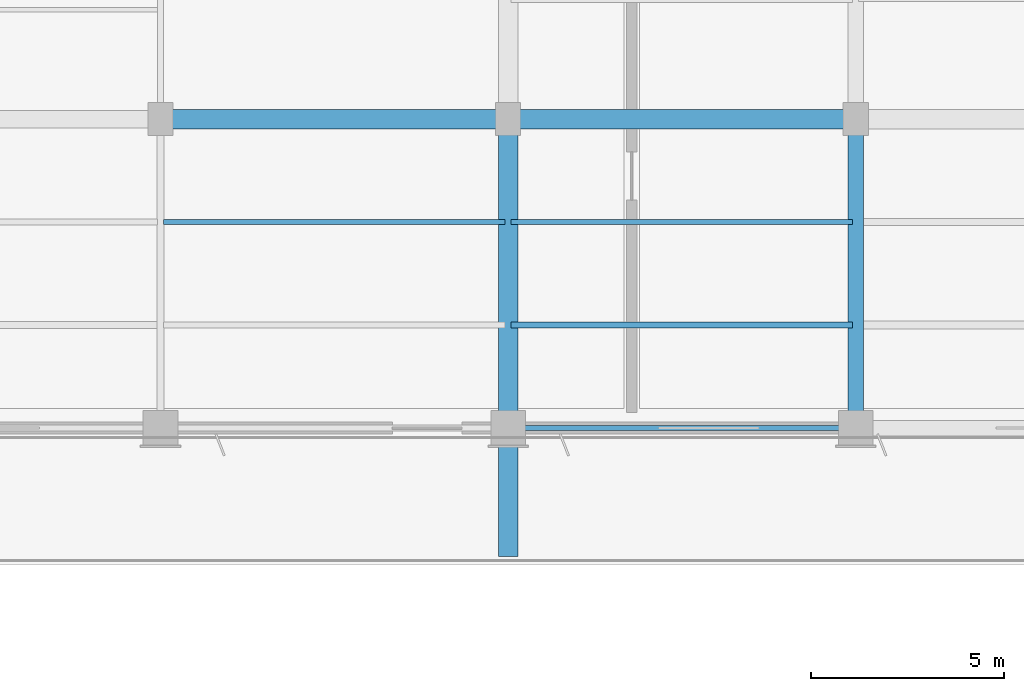
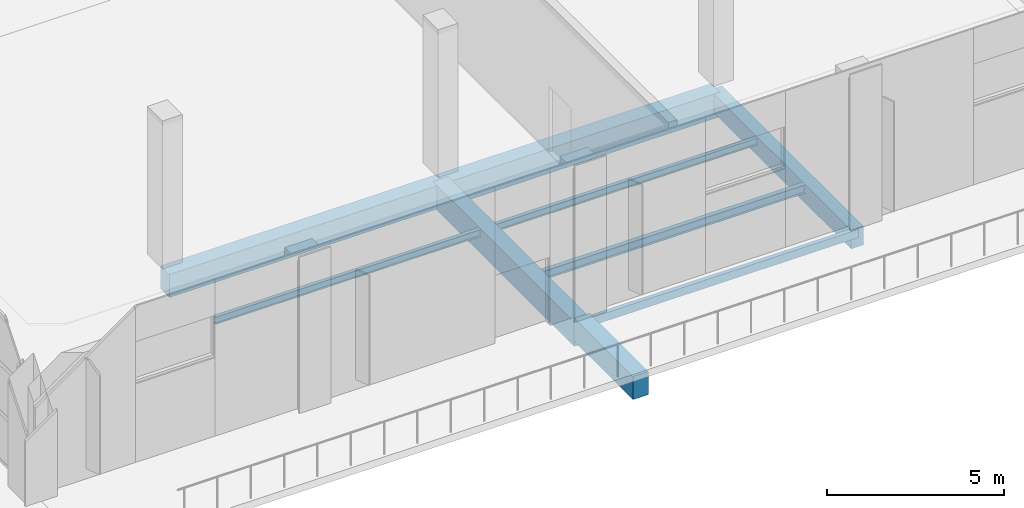
# One storey, part 36 of 90: 9 beams.
"""IFC4 building model written with IfcOpenShell, lengths in metres."""

from ifc_helpers import new_model, si_unit, direction, frame, origin, origin_2d, place, context, subcontext, project, spatial, rectangle, hollow_rectangle, i_section, extrude, material, material_profile, profile_set, type_object, element, save


model = new_model("IFC4")

# Units and contexts
model_context = context("Model", 3, precision=1e-05, world=origin(), true_north=direction((0.0, 1.0)))
body_context = subcontext(model_context, "Body", "Model", "MODEL_VIEW")
ifc_project = project(units=[si_unit("LENGTHUNIT", "METRE"), si_unit("AREAUNIT", "SQUARE_METRE"), si_unit("VOLUMEUNIT", "CUBIC_METRE"), si_unit("PLANEANGLEUNIT", "RADIAN"), si_unit("MASSUNIT", "GRAM", prefix="KILO")], contexts=[model_context])

# Site, building, storey
site_placement = place(None, origin())
site = spatial("IfcSite", under=ifc_project, at=site_placement, CompositionType="ELEMENT")
building_placement = place(site_placement, origin())
building = spatial("IfcBuilding", under=site, at=building_placement, Name="Solvikara Media Centre", CompositionType="ELEMENT")
storey_placement = place(building_placement, origin())
storey = spatial("IfcBuildingStorey", under=building, at=storey_placement, Name="L00", CompositionType="ELEMENT", Elevation=0.0)

# Beams
ifc_material_1 = material(Name="Concrete fc' 35 MPa (C35/45)", Category="concrete")
ifc_material_profile_1 = material_profile(ifc_material_1, rectangle(XDim=0.39990234375, YDim=0.64990234375, at=origin_2d()), Name="RC 400x650")
ifc_profile_set_1 = profile_set([ifc_material_profile_1], Name="Concrete fc' 35 MPa (C35/45)")
beam_type_1 = type_object("IfcBeamType", Name="BM-02", PredefinedType="BEAM", material=ifc_profile_set_1)
beam_1_placement = place(storey_placement, frame((154.5, 0.0, -0.705078125), z_axis=(0.0, 1.0, 0.0), x_axis=(-1.0, 0.0, 0.0)))
element("IfcBeam", 1, at=beam_1_placement, inside=storey, type_object=beam_type_1, Name="B-L00-Y0218", PredefinedType="BEAM", context=body_context, shape_type="SweptSolid", body=[
    extrude(rectangle(XDim=0.39990234375, YDim=0.64990234375, at=origin_2d()), origin(), (0.0, 0.0, 1.0), 8.0),
])
ifc_material_profile_2 = material_profile(ifc_material_1, rectangle(XDim=0.5, YDim=0.800048828125, at=origin_2d()), Name="RC 500x800")
ifc_profile_set_2 = profile_set([ifc_material_profile_2], Name="Concrete fc' 35 MPa (C35/45)")
beam_type_2 = type_object("IfcBeamType", Name="BM-07", PredefinedType="BEAM", material=ifc_profile_set_2)
beam_2_placement = place(storey_placement, frame((136.5, 8.0, -0.780029296875), z_axis=(1.0, 0.0, 0.0), x_axis=(0.0, 1.0, 0.0)))
element("IfcBeam", 2, at=beam_2_placement, inside=storey, type_object=beam_type_2, Name="B-L00-X0019", PredefinedType="BEAM", context=body_context, shape_type="SweptSolid", body=[
    extrude(rectangle(XDim=0.5, YDim=0.800048828125, at=origin_2d()), origin(), (0.0, 0.0, 1.0), 9.0),
])
beam_3_placement = place(storey_placement, frame((145.5, -3.330078125, -0.64990234375), z_axis=(0.0, 1.0, 0.0), x_axis=(-1.0, 0.0, 0.0)))
element("IfcBeam", 3, at=beam_3_placement, inside=storey, type_object=beam_type_2, Name="B-L00-PRM-032", PredefinedType="BEAM", context=body_context, shape_type="SweptSolid", body=[
    extrude(rectangle(XDim=0.5, YDim=0.800048828125, at=origin_2d()), origin(), (0.0, 0.0, 1.0), 3.330078125),
])
ifc_material_profile_3 = material_profile(ifc_material_1, rectangle(XDim=0.5, YDim=0.85009765625, at=origin_2d()), Name="RC 500x850")
ifc_profile_set_3 = profile_set([ifc_material_profile_3], Name="Concrete fc' 35 MPa (C35/45)")
beam_type_3 = type_object("IfcBeamType", Name="BM-08", PredefinedType="BEAM", material=ifc_profile_set_3)
beam_4_placement = place(storey_placement, frame((145.5, 8.0, -0.804931640625), z_axis=(1.0, 0.0, 0.0), x_axis=(0.0, 1.0, 0.0)))
element("IfcBeam", 4, at=beam_4_placement, inside=storey, type_object=beam_type_3, Name="B-L00-X0020", PredefinedType="BEAM", context=body_context, shape_type="SweptSolid", body=[
    extrude(rectangle(XDim=0.5, YDim=0.85009765625, at=origin_2d()), origin(), (0.0, 0.0, 1.0), 9.0),
])
beam_5_placement = place(storey_placement, frame((145.5, 0.0, -0.804931640625), z_axis=(0.0, 1.0, 0.0), x_axis=(-1.0, 0.0, 0.0)))
element("IfcBeam", 5, at=beam_5_placement, inside=storey, type_object=beam_type_3, Name="B-L00-Y0212", PredefinedType="BEAM", context=body_context, shape_type="SweptSolid", body=[
    extrude(rectangle(XDim=0.5, YDim=0.85009765625, at=origin_2d()), origin(), (0.0, 0.0, 1.0), 8.0),
])
ifc_material_2 = material(Name="Steel S355JR", Category="steel")
ifc_material_profile_4 = material_profile(ifc_material_2, i_section(OverallWidth=0.14990234375, OverallDepth=0.300048828125, WebThickness=0.006591796875, FlangeThickness=0.009033203125, at=origin_2d()), Name="WF 300x150x6.5x9")
ifc_profile_set_4 = profile_set([ifc_material_profile_4], Name="Steel S355JR")
beam_type_4 = type_object("IfcBeamType", Name="BM-23", PredefinedType="JOIST", material=ifc_profile_set_4)
beam_6_placement = place(storey_placement, frame((145.577880859375, 2.6669921875, -0.531982421875), z_axis=(1.0, 0.0, 0.0), x_axis=(0.0, 1.0, 0.0)))
element("IfcBeam", 6, at=beam_6_placement, inside=storey, type_object=beam_type_4, Name="J-L00-0403", PredefinedType="JOIST", context=body_context, shape_type="SweptSolid", body=[
    extrude(i_section(OverallWidth=0.14990234375, OverallDepth=0.300048828125, WebThickness=0.006591796875, FlangeThickness=0.009033203125, at=origin_2d()), origin(), (0.0, 0.0, 1.0), 8.84423828125),
])
ifc_material_profile_5 = material_profile(ifc_material_2, i_section(OverallWidth=0.125, OverallDepth=0.25, WebThickness=0.006103515625, FlangeThickness=0.009033203125, at=origin_2d()), Name="WF 250x125x6x9")
ifc_profile_set_5 = profile_set([ifc_material_profile_5], Name="Steel S355JR")
beam_type_5 = type_object("IfcBeamType", Name="BM-24", PredefinedType="JOIST", material=ifc_profile_set_5)
beam_7_placement = place(storey_placement, frame((145.577880859375, 5.3330078125, -0.507080078125), z_axis=(1.0, 0.0, 0.0), x_axis=(0.0, 1.0, 0.0)))
element("IfcBeam", 7, at=beam_7_placement, inside=storey, type_object=beam_type_5, Name="J-L00-0404", PredefinedType="JOIST", context=body_context, shape_type="SweptSolid", body=[
    extrude(i_section(OverallWidth=0.125, OverallDepth=0.25, WebThickness=0.006103515625, FlangeThickness=0.009033203125, at=origin_2d()), origin(), (0.0, 0.0, 1.0), 8.84423828125),
])
ifc_material_profile_6 = material_profile(ifc_material_2, i_section(OverallWidth=0.1240234375, OverallDepth=0.248046875, WebThickness=0.0048828125, FlangeThickness=0.008056640625, at=origin_2d()), Name="WF 248x124x5x8")
ifc_profile_set_6 = profile_set([ifc_material_profile_6], Name="Steel S355JR")
beam_type_6 = type_object("IfcBeamType", Name="BM-40", PredefinedType="JOIST", material=ifc_profile_set_6)
beam_8_placement = place(storey_placement, frame((136.577880859375, 5.3330078125, -0.506103515625), z_axis=(1.0, 0.0, 0.0), x_axis=(0.0, 1.0, 0.0)))
element("IfcBeam", 8, at=beam_8_placement, inside=storey, type_object=beam_type_6, Name="J-L00-0400", PredefinedType="JOIST", context=body_context, shape_type="SweptSolid", body=[
    extrude(i_section(OverallWidth=0.1240234375, OverallDepth=0.248046875, WebThickness=0.0048828125, FlangeThickness=0.008056640625, at=origin_2d()), origin(), (0.0, 0.0, 1.0), 8.84423828125),
])
ifc_material_profile_7 = material_profile(ifc_material_2, hollow_rectangle(XDim=0.139892578125, YDim=0.280029296875, WallThickness=0.008056640625, at=origin_2d()), Name="RHS 280x140x8")
ifc_profile_set_7 = profile_set([ifc_material_profile_7], Name="Steel S355JR")
beam_type_7 = type_object("IfcBeamType", Name="BM-46", PredefinedType="SPANDREL", material=ifc_profile_set_7)
beam_9_placement = place(storey_placement, frame((145.5, 0.0, -0.52197265625), z_axis=(1.0, 0.0, 0.0), x_axis=(0.0, 1.0, 0.0)))
element("IfcBeam", 9, at=beam_9_placement, inside=storey, type_object=beam_type_7, Name="B-L00-X0016", PredefinedType="SPANDREL", context=body_context, shape_type="SweptSolid", body=[
    extrude(hollow_rectangle(XDim=0.139892578125, YDim=0.280029296875, WallThickness=0.008056640625, at=origin_2d()), origin(), (0.0, 0.0, 1.0), 9.0),
])

save(model, "model.ifc")
